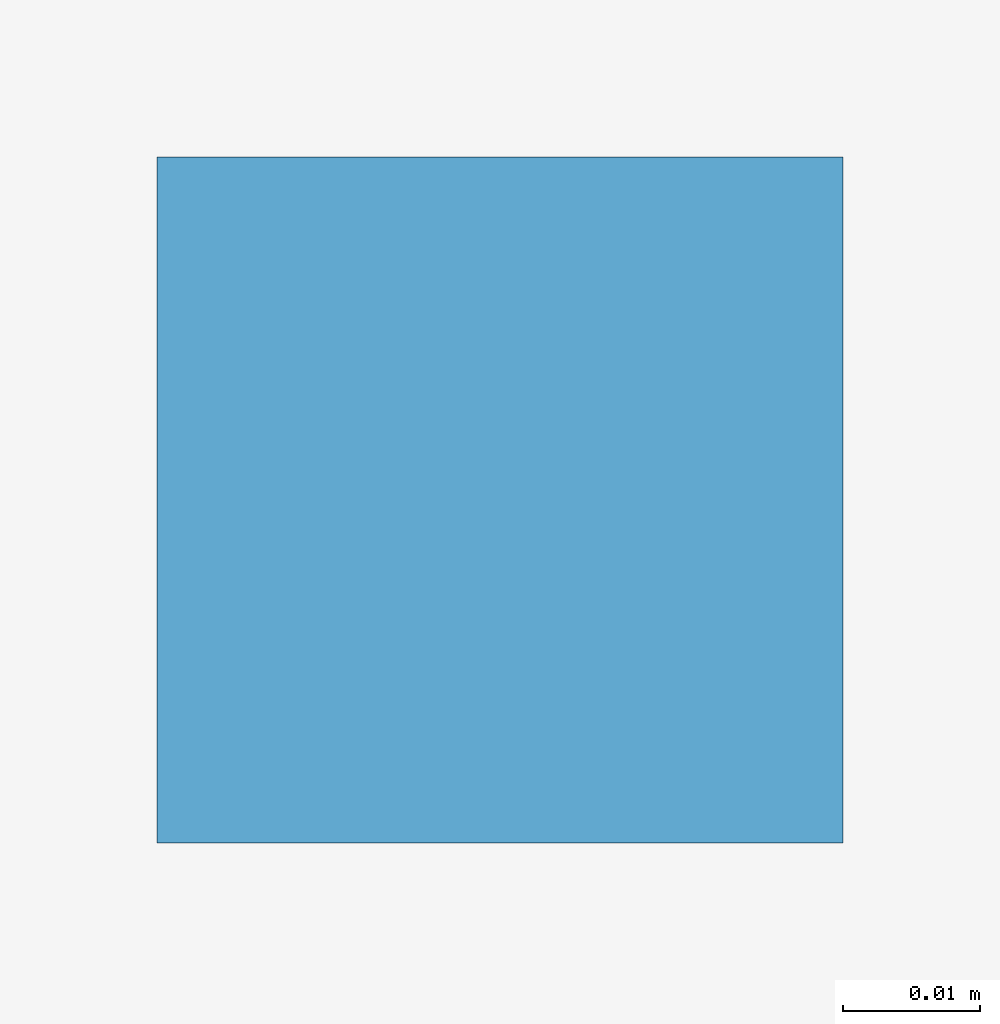
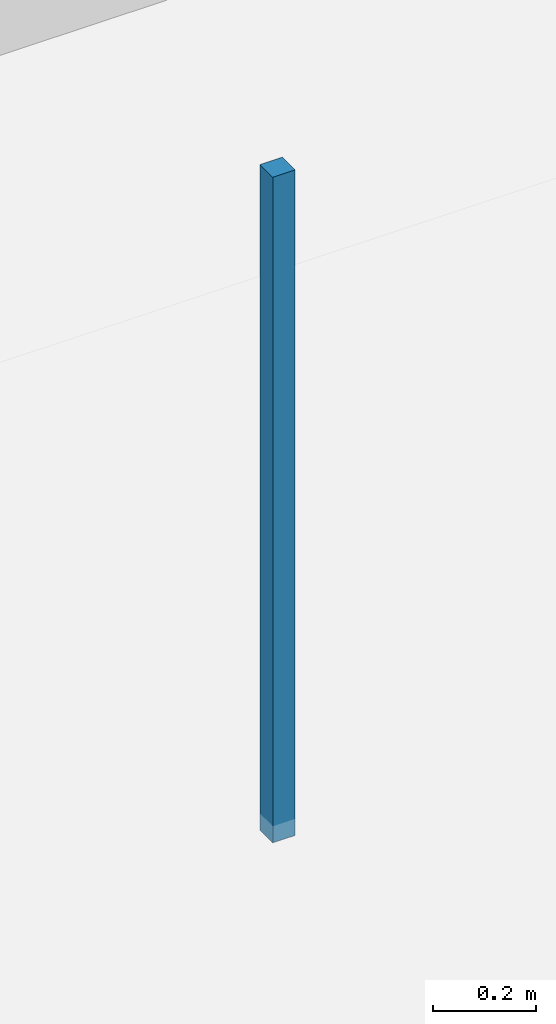
# One storey, part 39 of 54: 1 discrete accessory.
"""IFC4 building model written with IfcOpenShell, lengths in metres."""

from ifc_helpers import new_model, si_unit, direction, frame, origin, origin_2d, place, context, subcontext, project, spatial, rectangle, extrude, material, type_object, element, save


model = new_model("IFC4")

# Units and contexts
model_context = context("Model", 3, precision=1e-05, world=origin(), true_north=direction((0.0, 1.0)))
body_context = subcontext(model_context, "Body", "Model", "MODEL_VIEW")
ifc_project = project(units=[si_unit("LENGTHUNIT", "METRE"), si_unit("AREAUNIT", "SQUARE_METRE"), si_unit("VOLUMEUNIT", "CUBIC_METRE"), si_unit("PLANEANGLEUNIT", "RADIAN"), si_unit("MASSUNIT", "GRAM", prefix="KILO")], contexts=[model_context])

# Site, building, storey
site_placement = place(None, origin())
site = spatial("IfcSite", under=ifc_project, at=site_placement, CompositionType="ELEMENT")
building_placement = place(site_placement, origin())
building = spatial("IfcBuilding", under=site, at=building_placement, Name="Kazehaya Institute of Natural Sciences", CompositionType="ELEMENT")
storey_placement = place(building_placement, frame((0.0, 0.0, 5.39990234375)))
storey = spatial("IfcBuildingStorey", under=building, at=storey_placement, Name="L01", CompositionType="ELEMENT", Elevation=5.39990234375)

# Discrete accessory
ifc_material = material(Name="Structural steel SN490B", Category="steel")
discrete_accessory_type = type_object("IfcDiscreteAccessoryType", Name="ACC-CLG-HGR", PredefinedType="BRACKET", material=ifc_material)
discrete_accessory_placement = place(storey_placement, frame((43.820068359375, 11.372802734375, 3.3828125), z_axis=(0.0, 0.0, 1.0), x_axis=(1.0, 0.0, 0.0)))
element("IfcDiscreteAccessory", 1, at=discrete_accessory_placement, inside=storey, type_object=discrete_accessory_type, Name="L01 ceiling suspension hanger 19", PredefinedType="BRACKET", context=body_context, shape_type="SweptSolid", body=[
    extrude(rectangle(XDim=0.050048828125, YDim=0.050048828125, at=origin_2d()), origin(), (0.0, 0.0, 1.0), 1.577392578125),
])

save(model, "model.ifc")
